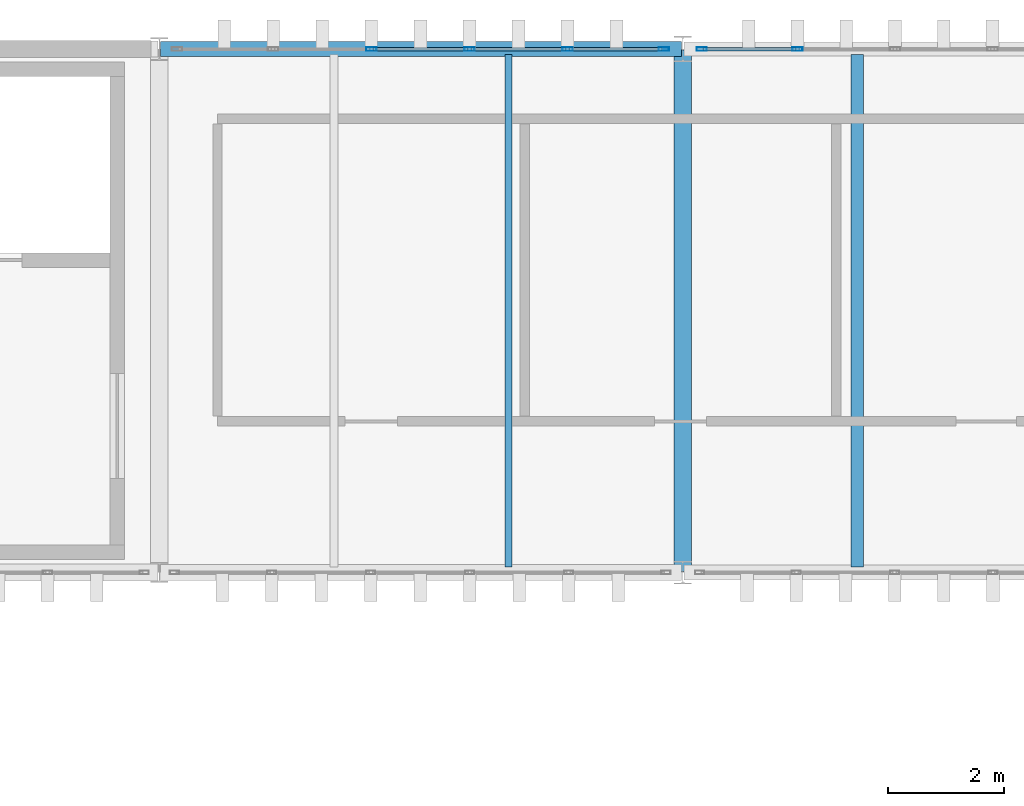
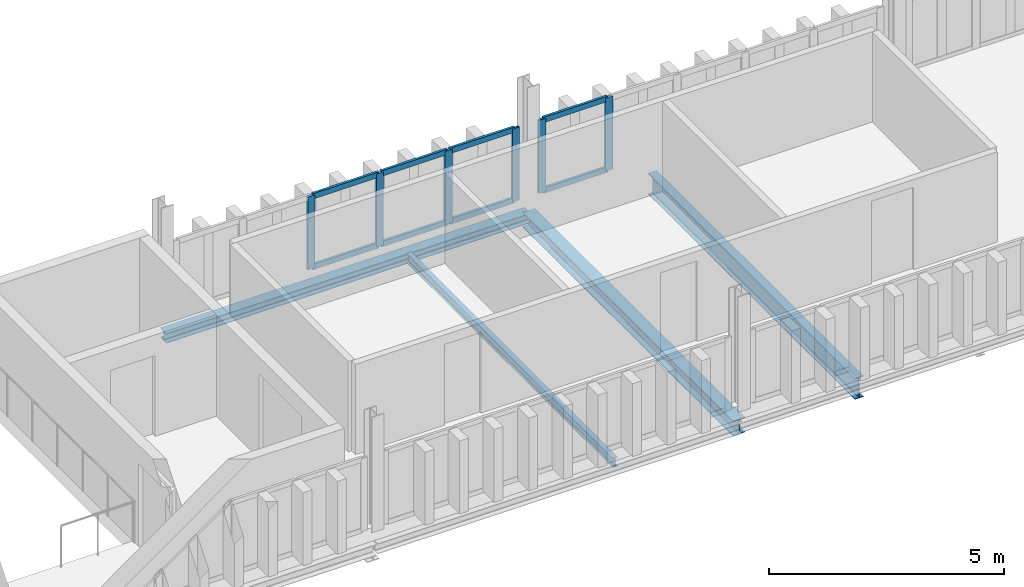
# One storey, part 40 of 58: 14 members, 4 beams, 2 elements without a shape of their own.
"""IFC4 building model written with IfcOpenShell, lengths in metres."""

from ifc_helpers import new_model, si_unit, direction, frame, origin, origin_2d, place, context, subcontext, project, spatial, hollow_rectangle, i_section, extrude, material, layer, layer_set, material_profile, profile_set, type_object, element, aggregate, save


model = new_model("IFC4")

# Units and contexts
model_context = context("Model", 3, precision=1e-05, world=origin(), true_north=direction((0.0, 1.0)))
body_context = subcontext(model_context, "Body", "Model", "MODEL_VIEW")
ifc_project = project(units=[si_unit("LENGTHUNIT", "METRE"), si_unit("AREAUNIT", "SQUARE_METRE"), si_unit("VOLUMEUNIT", "CUBIC_METRE"), si_unit("PLANEANGLEUNIT", "RADIAN"), si_unit("MASSUNIT", "GRAM", prefix="KILO")], contexts=[model_context])

# Site, building, storey
site_placement = place(None, origin())
site = spatial("IfcSite", under=ifc_project, at=site_placement, CompositionType="ELEMENT")
building_placement = place(site_placement, origin())
building = spatial("IfcBuilding", under=site, at=building_placement, Name="Barlavento Convention Centre", CompositionType="ELEMENT")
storey_placement = place(building_placement, frame((0.0, 0.0, 26.800048828125)))
storey = spatial("IfcBuildingStorey", under=building, at=storey_placement, Name="L05", CompositionType="ELEMENT", Elevation=26.800048828125)

# Curtain wall, members
ifc_material_1 = material(Name="Powder-coated aluminium and Low-E glass", Category="aluminium")
ifc_layer = layer(ifc_material_1, 0.18994140625)
ifc_layer_set = layer_set([ifc_layer], Name="ARC-CW-CONF-L05")
curtain_wall_type = type_object("IfcCurtainWallType", Name="ARC-CW-CONF-L05", PredefinedType="NOTDEFINED", material=ifc_layer_set)
curtain_wall_1_placement = place(storey_placement, origin())
curtain_wall_1 = element("IfcCurtainWall", 1, at=curtain_wall_1_placement, inside=storey, type_object=curtain_wall_type, Name="L05 unitised curtain wall CW10", PredefinedType="NOTDEFINED")
ifc_material_2 = material(Name="Powder-coated aluminium", Category="aluminium")
ifc_material_profile_1 = material_profile(ifc_material_2, hollow_rectangle(XDim=0.06005859375, YDim=0.179931640625, WallThickness=0.0048828125, at=origin_2d()), Name="AL-MULL 60x180x5")
ifc_profile_set_1 = profile_set([ifc_material_profile_1], Name="Powder-coated aluminium")
member_type_1 = type_object("IfcMemberType", Name="ARC-CWM-60X180", PredefinedType="MULLION", material=ifc_profile_set_1)
member_1_placement = place(storey_placement, frame((156.64404296875, 99.0, 0.0), z_axis=(0.0, 0.0, 1.0), x_axis=(0.0, 1.0, 0.0)))
member_1 = element("IfcMember", 2, at=member_1_placement, type_object=member_type_1, Name="CW10 mullion 3", PredefinedType="MULLION", context=body_context, shape_type="SweptSolid", body=[
    extrude(hollow_rectangle(XDim=0.06005859375, YDim=0.179931640625, WallThickness=0.0048828125, at=origin_2d()), origin(), (0.0, 0.0, 1.0), 1.89990234375),
])
member_2_placement = place(storey_placement, frame((158.3310546875, 99.0, 0.0), z_axis=(0.0, 0.0, 1.0), x_axis=(0.0, 1.0, 0.0)))
member_2 = element("IfcMember", 3, at=member_2_placement, type_object=member_type_1, Name="CW10 mullion 4", PredefinedType="MULLION", context=body_context, shape_type="SweptSolid", body=[
    extrude(hollow_rectangle(XDim=0.06005859375, YDim=0.179931640625, WallThickness=0.0048828125, at=origin_2d()), origin(), (0.0, 0.0, 1.0), 1.89990234375),
])
member_3_placement = place(storey_placement, frame((160.01806640625, 99.0, 0.0), z_axis=(0.0, 0.0, 1.0), x_axis=(0.0, 1.0, 0.0)))
member_3 = element("IfcMember", 4, at=member_3_placement, type_object=member_type_1, Name="CW10 mullion 5", PredefinedType="MULLION", context=body_context, shape_type="SweptSolid", body=[
    extrude(hollow_rectangle(XDim=0.06005859375, YDim=0.179931640625, WallThickness=0.0048828125, at=origin_2d()), origin(), (0.0, 0.0, 1.0), 1.89990234375),
])
member_4_placement = place(storey_placement, frame((161.675048828125, 99.0, 0.0), z_axis=(0.0, 0.0, 1.0), x_axis=(0.0, 1.0, 0.0)))
member_4 = element("IfcMember", 5, at=member_4_placement, type_object=member_type_1, Name="CW10 mullion 6", PredefinedType="MULLION", context=body_context, shape_type="SweptSolid", body=[
    extrude(hollow_rectangle(XDim=0.06005859375, YDim=0.179931640625, WallThickness=0.0048828125, at=origin_2d()), origin(), (0.0, 0.0, 1.0), 1.89990234375),
])

curtain_wall_2_placement = place(storey_placement, origin())
curtain_wall_2 = element("IfcCurtainWall", 6, at=curtain_wall_2_placement, inside=storey, type_object=curtain_wall_type, Name="L05 unitised curtain wall CW10", PredefinedType="NOTDEFINED")
member_5_placement = place(storey_placement, frame((162.324951171875, 99.0, 0.0), z_axis=(0.0, 0.0, 1.0), x_axis=(0.0, 1.0, 0.0)))
member_5 = element("IfcMember", 7, at=member_5_placement, type_object=member_type_1, Name="CW10 mullion 1", PredefinedType="MULLION", context=body_context, shape_type="SweptSolid", body=[
    extrude(hollow_rectangle(XDim=0.06005859375, YDim=0.179931640625, WallThickness=0.0048828125, at=origin_2d()), origin(), (0.0, 0.0, 1.0), 1.89990234375),
])
member_6_placement = place(storey_placement, frame((163.971923828125, 99.0, 0.0), z_axis=(0.0, 0.0, 1.0), x_axis=(0.0, 1.0, 0.0)))
member_6 = element("IfcMember", 8, at=member_6_placement, type_object=member_type_1, Name="CW10 mullion 2", PredefinedType="MULLION", context=body_context, shape_type="SweptSolid", body=[
    extrude(hollow_rectangle(XDim=0.06005859375, YDim=0.179931640625, WallThickness=0.0048828125, at=origin_2d()), origin(), (0.0, 0.0, 1.0), 1.89990234375),
])

# Member
ifc_material_profile_2 = material_profile(ifc_material_2, hollow_rectangle(XDim=0.06005859375, YDim=0.139892578125, WallThickness=0.00390625, at=origin_2d()), Name="AL-TRAN 60x140x4")
ifc_profile_set_2 = profile_set([ifc_material_profile_2], Name="Powder-coated aluminium")
member_type_2 = type_object("IfcMemberType", Name="ARC-CWT-60X140", PredefinedType="USERDEFINED", material=ifc_profile_set_2)
member_7_placement = place(storey_placement, frame((156.674072265625, 99.0, 0.030029296875), z_axis=(1.0, 0.0, 0.0), x_axis=(0.0, 1.0, 0.0)))
member_7 = element("IfcMember", 9, at=member_7_placement, type_object=member_type_2, Name="CW10 transom 3.1", ObjectType="TRANSOM", PredefinedType="USERDEFINED", context=body_context, shape_type="SweptSolid", body=[
    extrude(hollow_rectangle(XDim=0.06005859375, YDim=0.139892578125, WallThickness=0.00390625, at=origin_2d()), origin(), (0.0, 0.0, 1.0), 1.626953125),
])

member_8_placement = place(storey_placement, frame((156.674072265625, 99.0, 1.869873046875), z_axis=(1.0, 0.0, 0.0), x_axis=(0.0, 1.0, 0.0)))
member_8 = element("IfcMember", 10, at=member_8_placement, type_object=member_type_2, Name="CW10 transom 3.2", ObjectType="TRANSOM", PredefinedType="USERDEFINED", context=body_context, shape_type="SweptSolid", body=[
    extrude(hollow_rectangle(XDim=0.06005859375, YDim=0.139892578125, WallThickness=0.00390625, at=origin_2d()), origin(), (0.0, 0.0, 1.0), 1.626953125),
])

member_9_placement = place(storey_placement, frame((158.361083984375, 99.0, 0.030029296875), z_axis=(1.0, 0.0, 0.0), x_axis=(0.0, 1.0, 0.0)))
member_9 = element("IfcMember", 11, at=member_9_placement, type_object=member_type_2, Name="CW10 transom 4.1", ObjectType="TRANSOM", PredefinedType="USERDEFINED", context=body_context, shape_type="SweptSolid", body=[
    extrude(hollow_rectangle(XDim=0.06005859375, YDim=0.139892578125, WallThickness=0.00390625, at=origin_2d()), origin(), (0.0, 0.0, 1.0), 1.626953125),
])

member_10_placement = place(storey_placement, frame((158.361083984375, 99.0, 1.869873046875), z_axis=(1.0, 0.0, 0.0), x_axis=(0.0, 1.0, 0.0)))
member_10 = element("IfcMember", 12, at=member_10_placement, type_object=member_type_2, Name="CW10 transom 4.2", ObjectType="TRANSOM", PredefinedType="USERDEFINED", context=body_context, shape_type="SweptSolid", body=[
    extrude(hollow_rectangle(XDim=0.06005859375, YDim=0.139892578125, WallThickness=0.00390625, at=origin_2d()), origin(), (0.0, 0.0, 1.0), 1.626953125),
])

member_11_placement = place(storey_placement, frame((160.048095703125, 99.0, 0.030029296875), z_axis=(1.0, 0.0, 0.0), x_axis=(0.0, 1.0, 0.0)))
member_11 = element("IfcMember", 13, at=member_11_placement, type_object=member_type_2, Name="CW10 transom 5.1", ObjectType="TRANSOM", PredefinedType="USERDEFINED", context=body_context, shape_type="SweptSolid", body=[
    extrude(hollow_rectangle(XDim=0.06005859375, YDim=0.139892578125, WallThickness=0.00390625, at=origin_2d()), origin(), (0.0, 0.0, 1.0), 1.596923828125),
])

member_12_placement = place(storey_placement, frame((160.048095703125, 99.0, 1.869873046875), z_axis=(1.0, 0.0, 0.0), x_axis=(0.0, 1.0, 0.0)))
member_12 = element("IfcMember", 14, at=member_12_placement, type_object=member_type_2, Name="CW10 transom 5.2", ObjectType="TRANSOM", PredefinedType="USERDEFINED", context=body_context, shape_type="SweptSolid", body=[
    extrude(hollow_rectangle(XDim=0.06005859375, YDim=0.139892578125, WallThickness=0.00390625, at=origin_2d()), origin(), (0.0, 0.0, 1.0), 1.596923828125),
])

aggregate(curtain_wall_1, [member_1, member_2, member_3, member_4, member_7, member_8, member_9, member_10, member_11, member_12])

member_13_placement = place(storey_placement, frame((162.35498046875, 99.0, 0.030029296875), z_axis=(1.0, 0.0, 0.0), x_axis=(0.0, 1.0, 0.0)))
member_13 = element("IfcMember", 15, at=member_13_placement, type_object=member_type_2, Name="CW10 transom 1.1", ObjectType="TRANSOM", PredefinedType="USERDEFINED", context=body_context, shape_type="SweptSolid", body=[
    extrude(hollow_rectangle(XDim=0.06005859375, YDim=0.139892578125, WallThickness=0.00390625, at=origin_2d()), origin(), (0.0, 0.0, 1.0), 1.5869140625),
])

member_14_placement = place(storey_placement, frame((162.35498046875, 99.0, 1.869873046875), z_axis=(1.0, 0.0, 0.0), x_axis=(0.0, 1.0, 0.0)))
member_14 = element("IfcMember", 16, at=member_14_placement, type_object=member_type_2, Name="CW10 transom 1.2", ObjectType="TRANSOM", PredefinedType="USERDEFINED", context=body_context, shape_type="SweptSolid", body=[
    extrude(hollow_rectangle(XDim=0.06005859375, YDim=0.139892578125, WallThickness=0.00390625, at=origin_2d()), origin(), (0.0, 0.0, 1.0), 1.5869140625),
])

aggregate(curtain_wall_2, [member_5, member_6, member_13, member_14])

# Beams
ifc_material_3 = material(Name="Steel S355", Category="steel")
ifc_material_profile_3 = material_profile(ifc_material_3, i_section(OverallWidth=0.1201171875, OverallDepth=0.239990234375, WebThickness=0.006103515625, FlangeThickness=0.009765625, FilletRadius=0.014892578125, at=origin_2d()), Name="IPE 240")
ifc_profile_set_3 = profile_set([ifc_material_profile_3], Name="Steel S355")
beam_type_1 = type_object("IfcBeamType", Name="STR-BM-JST-IPE240", PredefinedType="JOIST", material=ifc_profile_set_3)
beam_1_placement = place(storey_placement, frame((159.0, 90.094970703125, -0.47998046875), z_axis=(0.0, 1.0, 0.0), x_axis=(-1.0, 0.0, 0.0)))
element("IfcBeam", 17, at=beam_1_placement, inside=storey, type_object=beam_type_1, Name="L05 composite floor joist SJ09", PredefinedType="JOIST", context=body_context, shape_type="SweptSolid", body=[
    extrude(i_section(OverallWidth=0.1201171875, OverallDepth=0.239990234375, WebThickness=0.006103515625, FlangeThickness=0.009765625, FilletRadius=0.014892578125, at=origin_2d()), origin(), (0.0, 0.0, 1.0), 8.81005859375),
])
ifc_material_profile_4 = material_profile(ifc_material_3, i_section(OverallWidth=0.2099609375, OverallDepth=0.550048828125, WebThickness=0.010986328125, FlangeThickness=0.01708984375, FilletRadius=0.02392578125, at=origin_2d()), Name="IPE 550")
ifc_profile_set_4 = profile_set([ifc_material_profile_4], Name="Steel S355")
beam_type_2 = type_object("IfcBeamType", Name="STR-BM-JST-IPE550", PredefinedType="JOIST", material=ifc_profile_set_4)
beam_2_placement = place(storey_placement, frame((165.0, 90.094970703125, -0.635009765625), z_axis=(0.0, 1.0, 0.0), x_axis=(-1.0, 0.0, 0.0)))
element("IfcBeam", 18, at=beam_2_placement, inside=storey, type_object=beam_type_2, Name="L05 composite floor joist SJ01", PredefinedType="JOIST", context=body_context, shape_type="SweptSolid", body=[
    extrude(i_section(OverallWidth=0.2099609375, OverallDepth=0.550048828125, WebThickness=0.010986328125, FlangeThickness=0.01708984375, FilletRadius=0.02392578125, at=origin_2d()), origin(), (0.0, 0.0, 1.0), 8.81005859375),
])
ifc_material_profile_5 = material_profile(ifc_material_3, i_section(OverallWidth=0.300048828125, OverallDepth=0.389892578125, WebThickness=0.010986328125, FlangeThickness=0.01904296875, FilletRadius=0.027099609375, at=origin_2d()), Name="HEA 400")
ifc_profile_set_5 = profile_set([ifc_material_profile_5], Name="Steel S355")
beam_type_3 = type_object("IfcBeamType", Name="STR-BM-PRI-HEA400", PredefinedType="BEAM", material=ifc_profile_set_5)
beam_3_placement = place(storey_placement, frame((162.0, 90.02001953125, -0.554931640625), z_axis=(0.0, 1.0, 0.0), x_axis=(-1.0, 0.0, 0.0)))
element("IfcBeam", 19, at=beam_3_placement, inside=storey, type_object=beam_type_3, Name="L05 grid girder BG22", PredefinedType="BEAM", context=body_context, shape_type="SweptSolid", body=[
    extrude(i_section(OverallWidth=0.300048828125, OverallDepth=0.389892578125, WebThickness=0.010986328125, FlangeThickness=0.01904296875, FilletRadius=0.027099609375, at=origin_2d()), origin(), (0.0, 0.0, 1.0), 8.9599609375),
])
ifc_material_profile_6 = material_profile(ifc_material_3, i_section(OverallWidth=0.260009765625, OverallDepth=0.25, WebThickness=0.007568359375, FlangeThickness=0.012451171875, FilletRadius=0.02392578125, at=origin_2d()), Name="HEA 260")
ifc_profile_set_6 = profile_set([ifc_material_profile_6], Name="Steel S355")
beam_type_4 = type_object("IfcBeamType", Name="STR-BM-SPN-HEA260", PredefinedType="SPANDREL", material=ifc_profile_set_6)
beam_4_placement = place(storey_placement, frame((153.02001953125, 99.0, -0.485107421875), z_axis=(1.0, 0.0, 0.0), x_axis=(0.0, 1.0, 0.0)))
element("IfcBeam", 20, at=beam_4_placement, inside=storey, type_object=beam_type_4, Name="L05 primary girder SP04", PredefinedType="SPANDREL", context=body_context, shape_type="SweptSolid", body=[
    extrude(i_section(OverallWidth=0.260009765625, OverallDepth=0.25, WebThickness=0.007568359375, FlangeThickness=0.012451171875, FilletRadius=0.02392578125, at=origin_2d()), origin(), (0.0, 0.0, 1.0), 8.9599609375),
])

save(model, "model.ifc")
